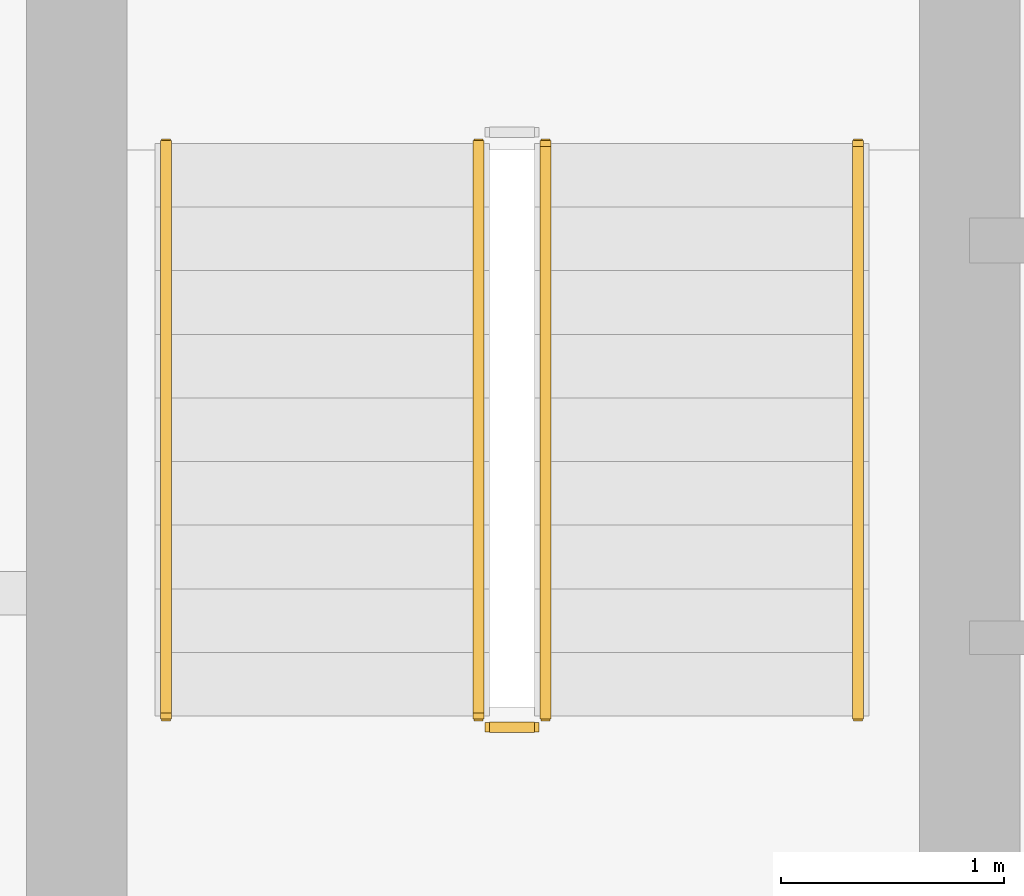
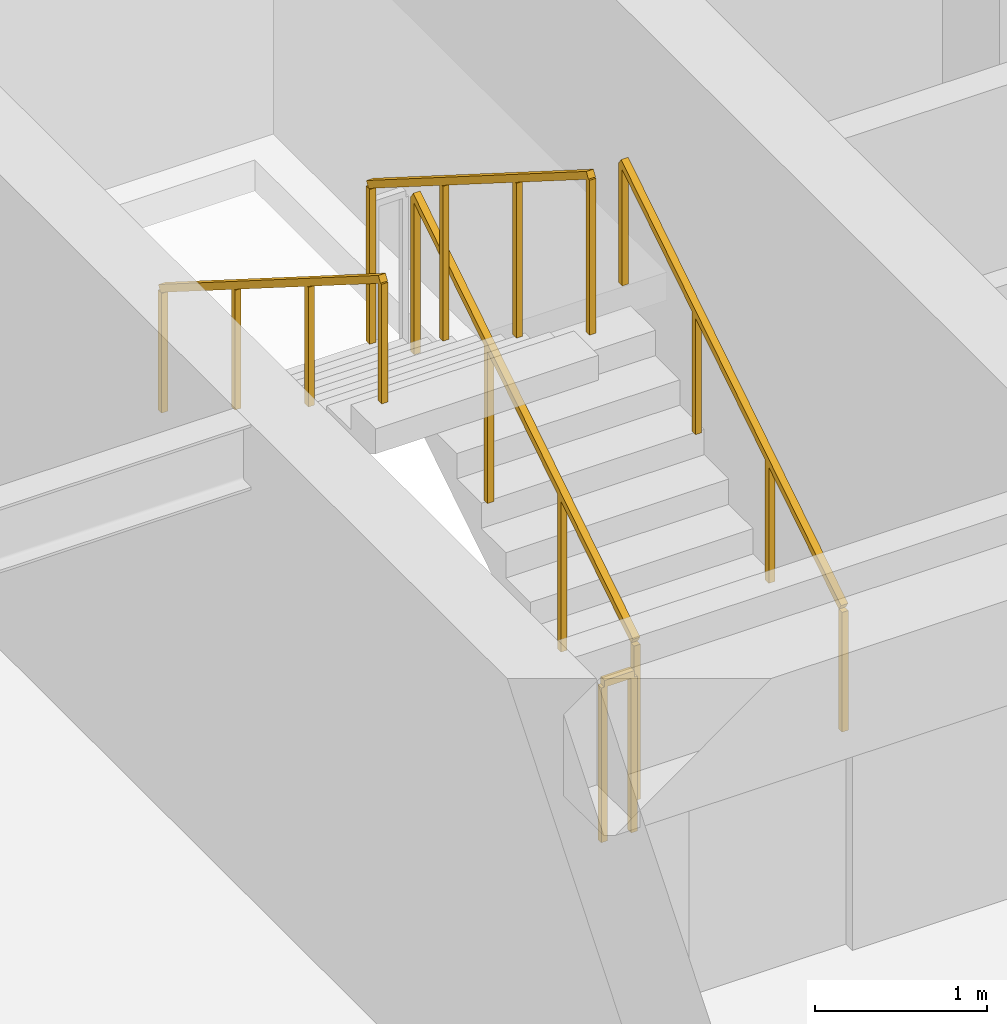
# One storey, part 26 of 28: 5 railings.
"""IFC4 building model written with IfcOpenShell, lengths in metres."""

import ifcopenshell
import ifcopenshell.guid

model = None  # the IFC model being written
_history = None  # IfcOwnerHistory: only IFC2X3 demands one
_inside = {}  # id of a spatial element -> (the spatial element, [elements in it])
_under = {}  # id of a project, library or spatial element -> (it, [spatial elements below it])
_declared = {}  # id of a project -> (the project, [libraries it declares])
_typed = {}  # id of a type object -> (the type object, [elements of that type])
_made_of = {}  # id of a material, layer set ... -> (it, [elements and type objects made of it])


def new_model(schema):
    """Start an empty IFC model of exactly this schema.

    Asked for "IFC4X3", IfcOpenShell would pick the latest addendum, in which some entities
    have other attributes; the version numbers below select the first issue.
    IFC2X3 requires an IfcOwnerHistory on every rooted entity: one is made here for all.
    """
    global model, _history
    if schema == "IFC4X3":
        model = ifcopenshell.file(schema_version=(4, 3, 0, 0))
    else:
        model = ifcopenshell.file(schema=schema)
    _inside.clear()
    _under.clear()
    _declared.clear()
    _typed.clear()
    _made_of.clear()
    _history = None
    if model.schema == "IFC2X3":
        org = make("IfcOrganization", Name="unknown")
        user = make(
            "IfcPersonAndOrganization",
            ThePerson=make("IfcPerson", FamilyName="unknown"),
            TheOrganization=org,
        )
        app = make(
            "IfcApplication",
            ApplicationDeveloper=org,
            Version="unknown",
            ApplicationFullName="unknown",
            ApplicationIdentifier="unknown",
        )
        _history = make(
            "IfcOwnerHistory",
            OwningUser=user,
            OwningApplication=app,
            ChangeAction="ADDED",
            CreationDate=0,
        )
    return model


def make(cls, **values):
    """One entity of the class cls with the attributes given. An attribute that is None is left unset."""
    return model.create_entity(
        cls, **{name: value for name, value in values.items() if value is not None}
    )


def rooted(cls, **values):
    """An entity with a GlobalId (a new one), such as an element, a storey or a relation."""
    return make(cls, GlobalId=ifcopenshell.guid.new(), OwnerHistory=_history, **values)


def si_unit(unit_type, name, prefix=None):
    """IfcSIUnit, for example si_unit("LENGTHUNIT", "METRE", prefix="MILLI")."""
    return make("IfcSIUnit", UnitType=unit_type, Prefix=prefix, Name=name)


def assignment(units):
    """IfcUnitAssignment: the units of a project."""
    return None if units is None else make("IfcUnitAssignment", Units=units)


def point(xyz):
    """IfcCartesianPoint."""
    return None if xyz is None else make("IfcCartesianPoint", Coordinates=xyz)


def direction(xyz):
    """IfcDirection."""
    return None if xyz is None else make("IfcDirection", DirectionRatios=xyz)


def frame(location, z_axis=None, x_axis=None):
    """IfcAxis2Placement3D, a coordinate frame: its origin and axes. An axis left out is left unset."""
    return make(
        "IfcAxis2Placement3D",
        Location=point(location),
        Axis=direction(z_axis),
        RefDirection=direction(x_axis),
    )


def frame_2d(location, x_axis=None):
    """IfcAxis2Placement2D, a coordinate frame in the plane: its origin and x axis."""
    return make(
        "IfcAxis2Placement2D", Location=point(location), RefDirection=direction(x_axis)
    )


def origin():
    """The frame at (0, 0, 0) with its axes left unset."""
    return frame((0.0, 0.0, 0.0))


def origin_2d():
    """The frame at (0, 0) in the plane with its x axis left unset."""
    return frame_2d((0.0, 0.0))


def place(relative_to, where):
    """IfcLocalPlacement: puts the frame where relative to a parent placement (None: the world)."""
    return make(
        "IfcLocalPlacement", PlacementRelTo=relative_to, RelativePlacement=where
    )


def context(
    kind, dimensions, precision=None, world=None, true_north=None, identifier=None
):
    """IfcGeometricRepresentationContext, for example the 3D "Model" context."""
    return make(
        "IfcGeometricRepresentationContext",
        ContextIdentifier=identifier,
        ContextType=kind,
        CoordinateSpaceDimension=dimensions,
        Precision=precision,
        WorldCoordinateSystem=world,
        TrueNorth=true_north,
    )


def subcontext(parent, identifier, kind, view, scale=None):
    """IfcGeometricRepresentationSubContext, for example "Body" below "Model"."""
    return make(
        "IfcGeometricRepresentationSubContext",
        ContextIdentifier=identifier,
        ContextType=kind,
        ParentContext=parent,
        TargetScale=scale,
        TargetView=view,
    )


def project(units=None, contexts=None):
    """IfcProject with its units and contexts."""
    return rooted(
        "IfcProject",
        Name="project",
        RepresentationContexts=contexts,
        UnitsInContext=assignment(units),
    )


def spatial(cls, under=None, at=None, **own):
    """A site, building, storey or space (cls), placed at a placement, below another one or the project."""
    s = rooted(cls, ObjectPlacement=at, **own)
    if under is not None:
        _under.setdefault(under.id(), (under, []))[1].append(s)
    return s


def profile(cls, at=None, kind="AREA", **sizes):
    """A parametric profile (cls). Its sizes go by their IFC names, for example OverallWidth=200.0."""
    return make(cls, ProfileType=kind, Position=at, **sizes)


def rectangle(**sizes):
    """IfcRectangleProfileDef."""
    return profile("IfcRectangleProfileDef", **sizes)


def extrude(swept, where, along, depth):
    """IfcExtrudedAreaSolid: the profile swept, set in the frame where, extruded along a direction by depth."""
    return make(
        "IfcExtrudedAreaSolid",
        SweptArea=swept,
        Position=where,
        ExtrudedDirection=direction(along),
        Depth=depth,
    )


def shape(context_of_items, identifier, shape_type, items):
    """IfcShapeRepresentation: the items that make up one representation, for example the "Body"."""
    return make(
        "IfcShapeRepresentation",
        ContextOfItems=context_of_items,
        RepresentationIdentifier=identifier,
        RepresentationType=shape_type,
        Items=items,
    )


def material(Name=None, Category=None):
    """IfcMaterial."""
    return make("IfcMaterial", Name=Name, Category=Category)


def made_of(thing, what):
    """Note that an element or type object is made of a material, layer set ...; save() writes the relation."""
    if what is not None:
        _made_of.setdefault(what.id(), (what, []))[1].append(thing)
    return thing


def type_object(cls, material=None, **own):
    """A type object (cls), such as IfcWallType, which elements share."""
    return made_of(rooted(cls, **own), material)


def element(
    cls,
    number,
    at=None,
    inside=None,
    cuts=None,
    type_object=None,
    material=None,
    context=None,
    identifier="Body",
    shape_type=None,
    held_by="IfcProductDefinitionShape",
    body=None,
    shapes=None,
    **own,
):
    """One element of the class cls, such as IfcWall. Its Tag is "e" and its number.

    at: its placement. inside: the storey or other place that contains it. cuts: it is an
    opening in that element (IfcRelVoidsElement). A single representation is given by context,
    identifier, shape_type and body (its items); several are given by shapes. held_by: the class
    of the entity that holds the representations. save() writes the other relations.
    """
    e = rooted(cls, Tag="e%d" % number, ObjectPlacement=at, **own)
    if body is not None:
        shapes = [shape(context, identifier, shape_type, body)]
    if shapes is not None:
        e.Representation = make(held_by, Representations=shapes)
    if inside is not None:
        _inside.setdefault(inside.id(), (inside, []))[1].append(e)
    if cuts is not None:
        rooted(
            "IfcRelVoidsElement", RelatingBuildingElement=cuts, RelatedOpeningElement=e
        )
    if type_object is not None:
        _typed.setdefault(type_object.id(), (type_object, []))[1].append(e)
    return made_of(e, material)


def aggregate(whole, parts):
    """IfcRelAggregates: a whole, such as a stair, and the parts it consists of."""
    return rooted("IfcRelAggregates", RelatingObject=whole, RelatedObjects=parts)


def save(model, path):
    """Write the relations noted so far, then the file.

    IfcRelAggregates (storeys below a building ...), IfcRelContainedInSpatialStructure (elements
    in a storey), IfcRelDefinesByType, IfcRelAssociatesMaterial and IfcRelDeclares: one each for
    every whole, place, type object, material and project.
    """
    for whole, parts in _under.values():
        aggregate(whole, parts)
    for where, things in _inside.values():
        rooted(
            "IfcRelContainedInSpatialStructure",
            RelatedElements=things,
            RelatingStructure=where,
        )
    for kind, things in _typed.values():
        rooted("IfcRelDefinesByType", RelatedObjects=things, RelatingType=kind)
    for what, things in _made_of.values():
        rooted("IfcRelAssociatesMaterial", RelatedObjects=things, RelatingMaterial=what)
    for by, libraries in _declared.values():
        rooted("IfcRelDeclares", RelatingContext=by, RelatedDefinitions=libraries)
    model.write(path)


model = new_model("IFC4")

# Units and contexts
model_context = context("Model", 3, precision=1e-05, world=origin(), true_north=direction((0.0, 1.0)))
body_context = subcontext(model_context, "Body", "Model", "MODEL_VIEW")
ifc_project = project(units=[si_unit("LENGTHUNIT", "METRE"), si_unit("AREAUNIT", "SQUARE_METRE"), si_unit("VOLUMEUNIT", "CUBIC_METRE"), si_unit("PLANEANGLEUNIT", "RADIAN"), si_unit("MASSUNIT", "GRAM", prefix="KILO")], contexts=[model_context])

# Site, building, storey
site_placement = place(None, origin())
site = spatial("IfcSite", under=ifc_project, at=site_placement, CompositionType="ELEMENT")
building_placement = place(site_placement, origin())
building = spatial("IfcBuilding", under=site, at=building_placement, Name="Sarneth Arch Tower", CompositionType="ELEMENT")
storey_placement = place(building_placement, frame((0.0, 0.0, 154.199951171875)))
storey = spatial("IfcBuildingStorey", under=building, at=storey_placement, Name="L38", CompositionType="ELEMENT", Elevation=154.199951171875)

# Railings
ifc_material_1 = material(Name="Brushed Stainless Steel 304 tubular handrail", Category="steel")
railing_type_1 = type_object("IfcRailingType", Name="RAIL-HANDRAIL-900", PredefinedType="HANDRAIL", material=ifc_material_1)
railing_1_placement = place(storey_placement, frame((40.5, 41.449951171875, 0.179931640625)))
element("IfcRailing", 1, at=railing_1_placement, inside=storey, type_object=railing_type_1, Name="L38 ST-1 stair handrail 1", PredefinedType="HANDRAIL", context=body_context, shape_type="SweptSolid", body=[
    extrude(rectangle(XDim=0.048095703125, YDim=0.048095703125, at=origin_2d()), frame((0.0, 0.0, 0.8759765625), z_axis=(0.0, 0.845465955043, 0.534029323973), x_axis=(-1.0, 0.0, 0.0)), (0.0, 0.0, 1.0), 3.03369140625),
    extrude(rectangle(XDim=0.0419921875, YDim=0.0419921875, at=origin_2d()), origin(), (0.0, 0.0, 1.0), 0.851806640625),
    extrude(rectangle(XDim=0.0419921875, YDim=0.0419921875, at=origin_2d()), frame((0.0, 0.85498046875, 0.5400390625)), (0.0, 0.0, 1.0), 0.851806640625),
    extrude(rectangle(XDim=0.0419921875, YDim=0.0419921875, at=origin_2d()), frame((0.0, 1.7099609375, 1.080078125)), (0.0, 0.0, 1.0), 0.851806640625),
    extrude(rectangle(XDim=0.0419921875, YDim=0.0419921875, at=origin_2d()), frame((0.0, 2.56494140625, 1.6201171875)), (0.0, 0.0, 1.0), 0.851806640625),
])
railing_2_placement = place(storey_placement, frame((37.39990234375, 44.014892578125, 1.97998046875)))
element("IfcRailing", 2, at=railing_2_placement, inside=storey, type_object=railing_type_1, Name="L38 ST-1 stair handrail 2", PredefinedType="HANDRAIL", context=body_context, shape_type="SweptSolid", body=[
    extrude(rectangle(XDim=0.048095703125, YDim=0.048095703125, at=origin_2d()), frame((0.0, 0.0, 0.8759765625), z_axis=(0.0, -0.845465955043, 0.534029323973), x_axis=(1.0, 0.0, 0.0)), (0.0, 0.0, 1.0), 3.03369140625),
    extrude(rectangle(XDim=0.0419921875, YDim=0.0419921875, at=origin_2d()), origin(), (0.0, 0.0, 1.0), 0.851806640625),
    extrude(rectangle(XDim=0.0419921875, YDim=0.0419921875, at=origin_2d()), frame((0.0, -0.85498046875, 0.5400390625)), (0.0, 0.0, 1.0), 0.851806640625),
    extrude(rectangle(XDim=0.0419921875, YDim=0.0419921875, at=origin_2d()), frame((0.0, -1.7099609375, 1.080078125)), (0.0, 0.0, 1.0), 0.851806640625),
    extrude(rectangle(XDim=0.0419921875, YDim=0.0419921875, at=origin_2d()), frame((0.0, -2.56494140625, 1.6201171875)), (0.0, 0.0, 1.0), 0.851806640625),
])
ifc_material_2 = material(Name="Painted Steel S275 stair well guard", Category="steel")
railing_type_2 = type_object("IfcRailingType", Name="RAIL-STAIR-GUARD", PredefinedType="GUARDRAIL", material=ifc_material_2)
railing_3_placement = place(storey_placement, frame((39.10009765625, 41.449951171875, 0.179931640625)))
element("IfcRailing", 3, at=railing_3_placement, inside=storey, type_object=railing_type_2, Name="L38 ST-1 stair guard 1", PredefinedType="GUARDRAIL", context=body_context, shape_type="SweptSolid", body=[
    extrude(rectangle(XDim=0.048095703125, YDim=0.048095703125, at=origin_2d()), frame((0.0, 0.0, 1.1259765625), z_axis=(0.0, 0.845465955043, 0.534029323973), x_axis=(-1.0, 0.0, 0.0)), (0.0, 0.0, 1.0), 3.03369140625),
    extrude(rectangle(XDim=0.0419921875, YDim=0.0419921875, at=origin_2d()), origin(), (0.0, 0.0, 1.0), 1.101806640625),
    extrude(rectangle(XDim=0.0419921875, YDim=0.0419921875, at=origin_2d()), frame((0.0, 0.85498046875, 0.5400390625)), (0.0, 0.0, 1.0), 1.101806640625),
    extrude(rectangle(XDim=0.0419921875, YDim=0.0419921875, at=origin_2d()), frame((0.0, 1.7099609375, 1.080078125)), (0.0, 0.0, 1.0), 1.101806640625),
    extrude(rectangle(XDim=0.0419921875, YDim=0.0419921875, at=origin_2d()), frame((0.0, 2.56494140625, 1.6201171875)), (0.0, 0.0, 1.0), 1.101806640625),
])
railing_4_placement = place(storey_placement, frame((38.800048828125, 44.014892578125, 1.97998046875)))
element("IfcRailing", 4, at=railing_4_placement, inside=storey, type_object=railing_type_2, Name="L38 ST-1 stair guard 3", PredefinedType="GUARDRAIL", context=body_context, shape_type="SweptSolid", body=[
    extrude(rectangle(XDim=0.048095703125, YDim=0.048095703125, at=origin_2d()), frame((0.0, 0.0, 1.1259765625), z_axis=(0.0, -0.845465955043, 0.534029323973), x_axis=(1.0, 0.0, 0.0)), (0.0, 0.0, 1.0), 3.03369140625),
    extrude(rectangle(XDim=0.0419921875, YDim=0.0419921875, at=origin_2d()), origin(), (0.0, 0.0, 1.0), 1.101806640625),
    extrude(rectangle(XDim=0.0419921875, YDim=0.0419921875, at=origin_2d()), frame((0.0, -0.85498046875, 0.5400390625)), (0.0, 0.0, 1.0), 1.101806640625),
    extrude(rectangle(XDim=0.0419921875, YDim=0.0419921875, at=origin_2d()), frame((0.0, -1.7099609375, 1.080078125)), (0.0, 0.0, 1.0), 1.101806640625),
    extrude(rectangle(XDim=0.0419921875, YDim=0.0419921875, at=origin_2d()), frame((0.0, -2.56494140625, 1.6201171875)), (0.0, 0.0, 1.0), 1.101806640625),
])
railing_5_placement = place(storey_placement, frame((39.050048828125, 41.39990234375, 0.0)))
element("IfcRailing", 5, at=railing_5_placement, inside=storey, type_object=railing_type_2, Name="L38 ST-1 stair guard 4", PredefinedType="GUARDRAIL", context=body_context, shape_type="SweptSolid", body=[
    extrude(rectangle(XDim=0.048095703125, YDim=0.048095703125, at=origin_2d()), frame((0.0, 0.0, 1.1259765625), z_axis=(-1.0, 0.0, 0.0), x_axis=(0.0, -1.0, 0.0)), (0.0, 0.0, 1.0), 0.199951171875),
    extrude(rectangle(XDim=0.0419921875, YDim=0.0419921875, at=origin_2d()), origin(), (0.0, 0.0, 1.0), 1.101806640625),
    extrude(rectangle(XDim=0.0419921875, YDim=0.0419921875, at=origin_2d()), frame((-0.199951171875, 0.0, 0.0)), (0.0, 0.0, 1.0), 1.101806640625),
])

save(model, "model.ifc")
